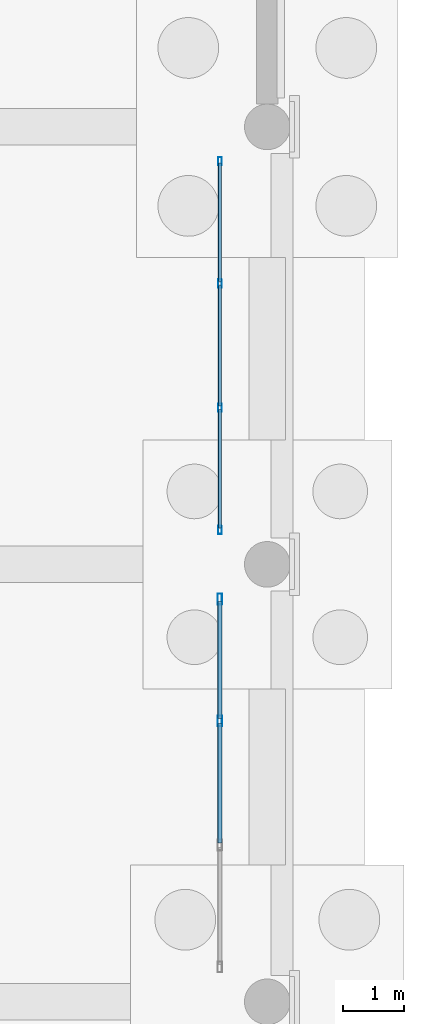
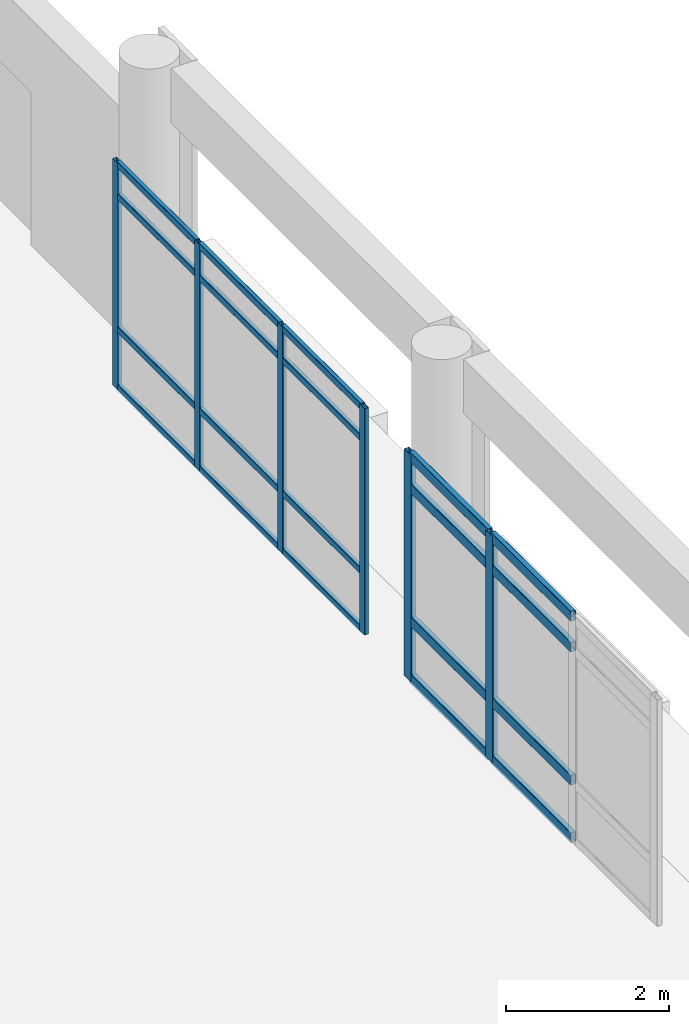
# One storey, part 127 of 196: 26 members, 2 elements without a shape of their own.
"""IFC4 building model written with IfcOpenShell, lengths in metres."""

from ifc_helpers import new_model, si_unit, direction, frame, origin, origin_2d, place, context, subcontext, project, spatial, hollow_rectangle, extrude, material, layer, layer_set, material_profile, profile_set, type_object, element, aggregate, save


model = new_model("IFC4")

# Units and contexts
model_context = context("Model", 3, precision=1e-05, world=origin(), true_north=direction((0.0, 1.0)))
body_context = subcontext(model_context, "Body", "Model", "MODEL_VIEW")
ifc_project = project(units=[si_unit("LENGTHUNIT", "METRE"), si_unit("AREAUNIT", "SQUARE_METRE"), si_unit("VOLUMEUNIT", "CUBIC_METRE"), si_unit("PLANEANGLEUNIT", "RADIAN"), si_unit("MASSUNIT", "GRAM", prefix="KILO")], contexts=[model_context])

# Site, building, storey
site_placement = place(None, origin())
site = spatial("IfcSite", under=ifc_project, at=site_placement, CompositionType="ELEMENT")
building_placement = place(site_placement, origin())
building = spatial("IfcBuilding", under=site, at=building_placement, Name="Asteropetra Specialist Clinic", CompositionType="ELEMENT")
storey_placement = place(building_placement, origin())
storey = spatial("IfcBuildingStorey", under=building, at=storey_placement, Name="L00", CompositionType="ELEMENT", Elevation=0.0)

# Curtain wall, members
ifc_material_1 = material(Name="Aluminium and low-E glass", Category="aluminium")
ifc_layer_1 = layer(ifc_material_1, 0.179931640625)
ifc_layer_set_1 = layer_set([ifc_layer_1], Name="Aluminium and low-E glass")
curtain_wall_type_1 = type_object("IfcCurtainWallType", Name="CW-SYS-01", PredefinedType="USERDEFINED", material=ifc_layer_set_1)
curtain_wall_1_placement = place(storey_placement, origin())
curtain_wall_1 = element("IfcCurtainWall", 1, at=curtain_wall_1_placement, inside=storey, type_object=curtain_wall_type_1, Name="Curtain Wall CW-200", ObjectType="UNITISED CURTAIN WALL", PredefinedType="USERDEFINED")
ifc_material_2 = material(Name="Aluminium 6063-T6", Category="aluminium")
ifc_material_profile_1 = material_profile(ifc_material_2, hollow_rectangle(XDim=0.06005859375, YDim=0.135009765625, WallThickness=0.00341796875, InnerFilletRadius=0.00341796875, OuterFilletRadius=0.007080078125, at=origin_2d()), Name="MUL 135x60x3.5")
ifc_profile_set_1 = profile_set([ifc_material_profile_1], Name="Aluminium 6063-T6")
member_type_1 = type_object("IfcMemberType", Name="CWM-135x60", PredefinedType="MULLION", material=ifc_profile_set_1)
member_1_placement = place(storey_placement, frame((152.820068359375, 19.764892578125, 0.0), z_axis=(0.0, 0.0, 1.0), x_axis=(-1.0, 0.0, 0.0)))
member_1 = element("IfcMember", 2, at=member_1_placement, type_object=member_type_1, Name="CW-200 mullion 1", PredefinedType="MULLION", context=body_context, shape_type="SweptSolid", body=[
    extrude(hollow_rectangle(XDim=0.06005859375, YDim=0.135009765625, WallThickness=0.00341796875, InnerFilletRadius=0.00341796875, OuterFilletRadius=0.007080078125, at=origin_2d()), origin(), (0.0, 0.0, 1.0), 3.39990234375),
])
member_2_placement = place(storey_placement, frame((152.820068359375, 21.7783203125, 0.0), z_axis=(0.0, 0.0, 1.0), x_axis=(-1.0, 0.0, 0.0)))
member_2 = element("IfcMember", 3, at=member_2_placement, type_object=member_type_1, Name="CW-200 mullion 2", PredefinedType="MULLION", context=body_context, shape_type="SweptSolid", body=[
    extrude(hollow_rectangle(XDim=0.06005859375, YDim=0.135009765625, WallThickness=0.00341796875, InnerFilletRadius=0.00341796875, OuterFilletRadius=0.007080078125, at=origin_2d()), origin(), (0.0, 0.0, 1.0), 3.39990234375),
])
member_3_placement = place(storey_placement, frame((152.820068359375, 23.82177734375, 0.0), z_axis=(0.0, 0.0, 1.0), x_axis=(-1.0, 0.0, 0.0)))
member_3 = element("IfcMember", 4, at=member_3_placement, type_object=member_type_1, Name="CW-200 mullion 3", PredefinedType="MULLION", context=body_context, shape_type="SweptSolid", body=[
    extrude(hollow_rectangle(XDim=0.06005859375, YDim=0.135009765625, WallThickness=0.00341796875, InnerFilletRadius=0.00341796875, OuterFilletRadius=0.007080078125, at=origin_2d()), origin(), (0.0, 0.0, 1.0), 3.39990234375),
])
member_4_placement = place(storey_placement, frame((152.820068359375, 25.8349609375, 0.0), z_axis=(0.0, 0.0, 1.0), x_axis=(-1.0, 0.0, 0.0)))
member_4 = element("IfcMember", 5, at=member_4_placement, type_object=member_type_1, Name="CW-200 mullion 4", PredefinedType="MULLION", context=body_context, shape_type="SweptSolid", body=[
    extrude(hollow_rectangle(XDim=0.06005859375, YDim=0.135009765625, WallThickness=0.00341796875, InnerFilletRadius=0.00341796875, OuterFilletRadius=0.007080078125, at=origin_2d()), origin(), (0.0, 0.0, 1.0), 3.39990234375),
])

ifc_material_3 = material(Name="Aluminium and low-E glass", Category="aluminium")
ifc_layer_2 = layer(ifc_material_3, 0.179931640625)
ifc_layer_set_2 = layer_set([ifc_layer_2], Name="Aluminium and low-E glass")
curtain_wall_type_2 = type_object("IfcCurtainWallType", Name="CW-SYS-10", PredefinedType="USERDEFINED", material=ifc_layer_set_2)
curtain_wall_2_placement = place(storey_placement, origin())
curtain_wall_2 = element("IfcCurtainWall", 6, at=curtain_wall_2_placement, inside=storey, type_object=curtain_wall_type_2, Name="Curtain Wall CW-198", ObjectType="STICK GLAZED COLONNADE", PredefinedType="USERDEFINED")
ifc_material_4 = material(Name="Aluminium 6063-T6", Category="aluminium")
ifc_material_profile_2 = material_profile(ifc_material_4, hollow_rectangle(XDim=0.074951171875, YDim=0.179931640625, WallThickness=0.00390625, InnerFilletRadius=0.00390625, OuterFilletRadius=0.008056640625, at=origin_2d()), Name="MUL 180x75x4.0")
ifc_profile_set_2 = profile_set([ifc_material_profile_2], Name="Aluminium 6063-T6")
member_type_2 = type_object("IfcMemberType", Name="CWM-180x75", PredefinedType="MULLION", material=ifc_profile_set_2)
member_5_placement = place(storey_placement, frame((152.820068359375, 16.62158203125, 0.0), z_axis=(0.0, 0.0, 1.0), x_axis=(-1.0, 0.0, 0.0)))
member_5 = element("IfcMember", 7, at=member_5_placement, type_object=member_type_2, Name="CW-198 mullion 3", PredefinedType="MULLION", context=body_context, shape_type="SweptSolid", body=[
    extrude(hollow_rectangle(XDim=0.074951171875, YDim=0.179931640625, WallThickness=0.00390625, InnerFilletRadius=0.00390625, OuterFilletRadius=0.008056640625, at=origin_2d()), origin(), (0.0, 0.0, 1.0), 3.39990234375),
])
member_6_placement = place(storey_placement, frame((152.820068359375, 18.62744140625, 0.0), z_axis=(0.0, 0.0, 1.0), x_axis=(-1.0, 0.0, 0.0)))
member_6 = element("IfcMember", 8, at=member_6_placement, type_object=member_type_2, Name="CW-198 mullion 4", PredefinedType="MULLION", context=body_context, shape_type="SweptSolid", body=[
    extrude(hollow_rectangle(XDim=0.074951171875, YDim=0.179931640625, WallThickness=0.00390625, InnerFilletRadius=0.00390625, OuterFilletRadius=0.008056640625, at=origin_2d()), origin(), (0.0, 0.0, 1.0), 3.39990234375),
])

# Member
ifc_material_5 = material(Name="Aluminium 6063-T6", Category="aluminium")
ifc_material_profile_3 = material_profile(ifc_material_5, hollow_rectangle(XDim=0.06005859375, YDim=0.10009765625, WallThickness=0.00341796875, InnerFilletRadius=0.00341796875, OuterFilletRadius=0.007080078125, at=origin_2d()), Name="TRN 100x60x3.5")
ifc_profile_set_3 = profile_set([ifc_material_profile_3], Name="Aluminium 6063-T6")
member_type_3 = type_object("IfcMemberType", Name="CWT-100x60", PredefinedType="USERDEFINED", material=ifc_profile_set_3)
member_7_placement = place(storey_placement, frame((152.820068359375, 19.794921875, 0.030029296875), z_axis=(0.0, 1.0, 0.0), x_axis=(-1.0, 0.0, 0.0)))
member_7 = element("IfcMember", 9, at=member_7_placement, type_object=member_type_3, Name="CW-200 transom 1.1", ObjectType="TRANSOM", PredefinedType="USERDEFINED", context=body_context, shape_type="SweptSolid", body=[
    extrude(hollow_rectangle(XDim=0.06005859375, YDim=0.10009765625, WallThickness=0.00341796875, InnerFilletRadius=0.00341796875, OuterFilletRadius=0.007080078125, at=origin_2d()), origin(), (0.0, 0.0, 1.0), 1.953369140625),
])

member_8_placement = place(storey_placement, frame((152.820068359375, 19.794921875, 0.89990234375), z_axis=(0.0, 1.0, 0.0), x_axis=(-1.0, 0.0, 0.0)))
member_8 = element("IfcMember", 10, at=member_8_placement, type_object=member_type_3, Name="CW-200 transom 1.2", ObjectType="TRANSOM", PredefinedType="USERDEFINED", context=body_context, shape_type="SweptSolid", body=[
    extrude(hollow_rectangle(XDim=0.06005859375, YDim=0.10009765625, WallThickness=0.00341796875, InnerFilletRadius=0.00341796875, OuterFilletRadius=0.007080078125, at=origin_2d()), origin(), (0.0, 0.0, 1.0), 1.953369140625),
])

member_9_placement = place(storey_placement, frame((152.820068359375, 19.794921875, 2.89990234375), z_axis=(0.0, 1.0, 0.0), x_axis=(-1.0, 0.0, 0.0)))
member_9 = element("IfcMember", 11, at=member_9_placement, type_object=member_type_3, Name="CW-200 transom 1.3", ObjectType="TRANSOM", PredefinedType="USERDEFINED", context=body_context, shape_type="SweptSolid", body=[
    extrude(hollow_rectangle(XDim=0.06005859375, YDim=0.10009765625, WallThickness=0.00341796875, InnerFilletRadius=0.00341796875, OuterFilletRadius=0.007080078125, at=origin_2d()), origin(), (0.0, 0.0, 1.0), 1.953369140625),
])

member_10_placement = place(storey_placement, frame((152.820068359375, 19.794921875, 3.3701171875), z_axis=(0.0, 1.0, 0.0), x_axis=(-1.0, 0.0, 0.0)))
member_10 = element("IfcMember", 12, at=member_10_placement, type_object=member_type_3, Name="CW-200 transom 1.4", ObjectType="TRANSOM", PredefinedType="USERDEFINED", context=body_context, shape_type="SweptSolid", body=[
    extrude(hollow_rectangle(XDim=0.06005859375, YDim=0.10009765625, WallThickness=0.00341796875, InnerFilletRadius=0.00341796875, OuterFilletRadius=0.007080078125, at=origin_2d()), origin(), (0.0, 0.0, 1.0), 1.953369140625),
])

member_11_placement = place(storey_placement, frame((152.820068359375, 21.808349609375, 0.030029296875), z_axis=(0.0, 1.0, 0.0), x_axis=(-1.0, 0.0, 0.0)))
member_11 = element("IfcMember", 13, at=member_11_placement, type_object=member_type_3, Name="CW-200 transom 2.1", ObjectType="TRANSOM", PredefinedType="USERDEFINED", context=body_context, shape_type="SweptSolid", body=[
    extrude(hollow_rectangle(XDim=0.06005859375, YDim=0.10009765625, WallThickness=0.00341796875, InnerFilletRadius=0.00341796875, OuterFilletRadius=0.007080078125, at=origin_2d()), origin(), (0.0, 0.0, 1.0), 1.9833984375),
])

member_12_placement = place(storey_placement, frame((152.820068359375, 21.808349609375, 0.89990234375), z_axis=(0.0, 1.0, 0.0), x_axis=(-1.0, 0.0, 0.0)))
member_12 = element("IfcMember", 14, at=member_12_placement, type_object=member_type_3, Name="CW-200 transom 2.2", ObjectType="TRANSOM", PredefinedType="USERDEFINED", context=body_context, shape_type="SweptSolid", body=[
    extrude(hollow_rectangle(XDim=0.06005859375, YDim=0.10009765625, WallThickness=0.00341796875, InnerFilletRadius=0.00341796875, OuterFilletRadius=0.007080078125, at=origin_2d()), origin(), (0.0, 0.0, 1.0), 1.9833984375),
])

member_13_placement = place(storey_placement, frame((152.820068359375, 21.808349609375, 2.89990234375), z_axis=(0.0, 1.0, 0.0), x_axis=(-1.0, 0.0, 0.0)))
member_13 = element("IfcMember", 15, at=member_13_placement, type_object=member_type_3, Name="CW-200 transom 2.3", ObjectType="TRANSOM", PredefinedType="USERDEFINED", context=body_context, shape_type="SweptSolid", body=[
    extrude(hollow_rectangle(XDim=0.06005859375, YDim=0.10009765625, WallThickness=0.00341796875, InnerFilletRadius=0.00341796875, OuterFilletRadius=0.007080078125, at=origin_2d()), origin(), (0.0, 0.0, 1.0), 1.9833984375),
])

member_14_placement = place(storey_placement, frame((152.820068359375, 21.808349609375, 3.3701171875), z_axis=(0.0, 1.0, 0.0), x_axis=(-1.0, 0.0, 0.0)))
member_14 = element("IfcMember", 16, at=member_14_placement, type_object=member_type_3, Name="CW-200 transom 2.4", ObjectType="TRANSOM", PredefinedType="USERDEFINED", context=body_context, shape_type="SweptSolid", body=[
    extrude(hollow_rectangle(XDim=0.06005859375, YDim=0.10009765625, WallThickness=0.00341796875, InnerFilletRadius=0.00341796875, OuterFilletRadius=0.007080078125, at=origin_2d()), origin(), (0.0, 0.0, 1.0), 1.9833984375),
])

member_15_placement = place(storey_placement, frame((152.820068359375, 23.8515625, 0.030029296875), z_axis=(0.0, 1.0, 0.0), x_axis=(-1.0, 0.0, 0.0)))
member_15 = element("IfcMember", 17, at=member_15_placement, type_object=member_type_3, Name="CW-200 transom 3.1", ObjectType="TRANSOM", PredefinedType="USERDEFINED", context=body_context, shape_type="SweptSolid", body=[
    extrude(hollow_rectangle(XDim=0.06005859375, YDim=0.10009765625, WallThickness=0.00341796875, InnerFilletRadius=0.00341796875, OuterFilletRadius=0.007080078125, at=origin_2d()), origin(), (0.0, 0.0, 1.0), 1.953369140625),
])

member_16_placement = place(storey_placement, frame((152.820068359375, 23.8515625, 0.89990234375), z_axis=(0.0, 1.0, 0.0), x_axis=(-1.0, 0.0, 0.0)))
member_16 = element("IfcMember", 18, at=member_16_placement, type_object=member_type_3, Name="CW-200 transom 3.2", ObjectType="TRANSOM", PredefinedType="USERDEFINED", context=body_context, shape_type="SweptSolid", body=[
    extrude(hollow_rectangle(XDim=0.06005859375, YDim=0.10009765625, WallThickness=0.00341796875, InnerFilletRadius=0.00341796875, OuterFilletRadius=0.007080078125, at=origin_2d()), origin(), (0.0, 0.0, 1.0), 1.953369140625),
])

member_17_placement = place(storey_placement, frame((152.820068359375, 23.8515625, 2.89990234375), z_axis=(0.0, 1.0, 0.0), x_axis=(-1.0, 0.0, 0.0)))
member_17 = element("IfcMember", 19, at=member_17_placement, type_object=member_type_3, Name="CW-200 transom 3.3", ObjectType="TRANSOM", PredefinedType="USERDEFINED", context=body_context, shape_type="SweptSolid", body=[
    extrude(hollow_rectangle(XDim=0.06005859375, YDim=0.10009765625, WallThickness=0.00341796875, InnerFilletRadius=0.00341796875, OuterFilletRadius=0.007080078125, at=origin_2d()), origin(), (0.0, 0.0, 1.0), 1.953369140625),
])

member_18_placement = place(storey_placement, frame((152.820068359375, 23.8515625, 3.3701171875), z_axis=(0.0, 1.0, 0.0), x_axis=(-1.0, 0.0, 0.0)))
member_18 = element("IfcMember", 20, at=member_18_placement, type_object=member_type_3, Name="CW-200 transom 3.4", ObjectType="TRANSOM", PredefinedType="USERDEFINED", context=body_context, shape_type="SweptSolid", body=[
    extrude(hollow_rectangle(XDim=0.06005859375, YDim=0.10009765625, WallThickness=0.00341796875, InnerFilletRadius=0.00341796875, OuterFilletRadius=0.007080078125, at=origin_2d()), origin(), (0.0, 0.0, 1.0), 1.953369140625),
])

aggregate(curtain_wall_1, [member_1, member_2, member_3, member_4, member_7, member_8, member_9, member_10, member_11, member_12, member_13, member_14, member_15, member_16, member_17, member_18])

ifc_material_6 = material(Name="Aluminium 6063-T6", Category="aluminium")
ifc_material_profile_4 = material_profile(ifc_material_6, hollow_rectangle(XDim=0.074951171875, YDim=0.14990234375, WallThickness=0.00390625, InnerFilletRadius=0.00390625, OuterFilletRadius=0.008056640625, at=origin_2d()), Name="TRN 150x75x4.0")
ifc_profile_set_4 = profile_set([ifc_material_profile_4], Name="Aluminium 6063-T6")
member_type_4 = type_object("IfcMemberType", Name="CWT-150x75", PredefinedType="USERDEFINED", material=ifc_profile_set_4)
member_19_placement = place(storey_placement, frame((152.820068359375, 14.61572265625, 0.03759765625), z_axis=(0.0, 1.0, 0.0), x_axis=(-1.0, 0.0, 0.0)))
member_19 = element("IfcMember", 21, at=member_19_placement, type_object=member_type_4, Name="CW-198 transom 2.1", ObjectType="TRANSOM", PredefinedType="USERDEFINED", context=body_context, shape_type="SweptSolid", body=[
    extrude(hollow_rectangle(XDim=0.074951171875, YDim=0.14990234375, WallThickness=0.00390625, InnerFilletRadius=0.00390625, OuterFilletRadius=0.008056640625, at=origin_2d()), origin(), (0.0, 0.0, 1.0), 1.968505859375),
])

member_20_placement = place(storey_placement, frame((152.820068359375, 14.61572265625, 0.89990234375), z_axis=(0.0, 1.0, 0.0), x_axis=(-1.0, 0.0, 0.0)))
member_20 = element("IfcMember", 22, at=member_20_placement, type_object=member_type_4, Name="CW-198 transom 2.2", ObjectType="TRANSOM", PredefinedType="USERDEFINED", context=body_context, shape_type="SweptSolid", body=[
    extrude(hollow_rectangle(XDim=0.074951171875, YDim=0.14990234375, WallThickness=0.00390625, InnerFilletRadius=0.00390625, OuterFilletRadius=0.008056640625, at=origin_2d()), origin(), (0.0, 0.0, 1.0), 1.968505859375),
])

member_21_placement = place(storey_placement, frame((152.820068359375, 14.61572265625, 2.89990234375), z_axis=(0.0, 1.0, 0.0), x_axis=(-1.0, 0.0, 0.0)))
member_21 = element("IfcMember", 23, at=member_21_placement, type_object=member_type_4, Name="CW-198 transom 2.3", ObjectType="TRANSOM", PredefinedType="USERDEFINED", context=body_context, shape_type="SweptSolid", body=[
    extrude(hollow_rectangle(XDim=0.074951171875, YDim=0.14990234375, WallThickness=0.00390625, InnerFilletRadius=0.00390625, OuterFilletRadius=0.008056640625, at=origin_2d()), origin(), (0.0, 0.0, 1.0), 1.968505859375),
])

member_22_placement = place(storey_placement, frame((152.820068359375, 14.61572265625, 3.362548828125), z_axis=(0.0, 1.0, 0.0), x_axis=(-1.0, 0.0, 0.0)))
member_22 = element("IfcMember", 24, at=member_22_placement, type_object=member_type_4, Name="CW-198 transom 2.4", ObjectType="TRANSOM", PredefinedType="USERDEFINED", context=body_context, shape_type="SweptSolid", body=[
    extrude(hollow_rectangle(XDim=0.074951171875, YDim=0.14990234375, WallThickness=0.00390625, InnerFilletRadius=0.00390625, OuterFilletRadius=0.008056640625, at=origin_2d()), origin(), (0.0, 0.0, 1.0), 1.968505859375),
])

member_23_placement = place(storey_placement, frame((152.820068359375, 16.6591796875, 0.03759765625), z_axis=(0.0, 1.0, 0.0), x_axis=(-1.0, 0.0, 0.0)))
member_23 = element("IfcMember", 25, at=member_23_placement, type_object=member_type_4, Name="CW-198 transom 3.1", ObjectType="TRANSOM", PredefinedType="USERDEFINED", context=body_context, shape_type="SweptSolid", body=[
    extrude(hollow_rectangle(XDim=0.074951171875, YDim=0.14990234375, WallThickness=0.00390625, InnerFilletRadius=0.00390625, OuterFilletRadius=0.008056640625, at=origin_2d()), origin(), (0.0, 0.0, 1.0), 1.930908203125),
])

member_24_placement = place(storey_placement, frame((152.820068359375, 16.6591796875, 0.89990234375), z_axis=(0.0, 1.0, 0.0), x_axis=(-1.0, 0.0, 0.0)))
member_24 = element("IfcMember", 26, at=member_24_placement, type_object=member_type_4, Name="CW-198 transom 3.2", ObjectType="TRANSOM", PredefinedType="USERDEFINED", context=body_context, shape_type="SweptSolid", body=[
    extrude(hollow_rectangle(XDim=0.074951171875, YDim=0.14990234375, WallThickness=0.00390625, InnerFilletRadius=0.00390625, OuterFilletRadius=0.008056640625, at=origin_2d()), origin(), (0.0, 0.0, 1.0), 1.930908203125),
])

member_25_placement = place(storey_placement, frame((152.820068359375, 16.6591796875, 2.89990234375), z_axis=(0.0, 1.0, 0.0), x_axis=(-1.0, 0.0, 0.0)))
member_25 = element("IfcMember", 27, at=member_25_placement, type_object=member_type_4, Name="CW-198 transom 3.3", ObjectType="TRANSOM", PredefinedType="USERDEFINED", context=body_context, shape_type="SweptSolid", body=[
    extrude(hollow_rectangle(XDim=0.074951171875, YDim=0.14990234375, WallThickness=0.00390625, InnerFilletRadius=0.00390625, OuterFilletRadius=0.008056640625, at=origin_2d()), origin(), (0.0, 0.0, 1.0), 1.930908203125),
])

member_26_placement = place(storey_placement, frame((152.820068359375, 16.6591796875, 3.362548828125), z_axis=(0.0, 1.0, 0.0), x_axis=(-1.0, 0.0, 0.0)))
member_26 = element("IfcMember", 28, at=member_26_placement, type_object=member_type_4, Name="CW-198 transom 3.4", ObjectType="TRANSOM", PredefinedType="USERDEFINED", context=body_context, shape_type="SweptSolid", body=[
    extrude(hollow_rectangle(XDim=0.074951171875, YDim=0.14990234375, WallThickness=0.00390625, InnerFilletRadius=0.00390625, OuterFilletRadius=0.008056640625, at=origin_2d()), origin(), (0.0, 0.0, 1.0), 1.930908203125),
])

aggregate(curtain_wall_2, [member_5, member_6, member_19, member_20, member_21, member_22, member_23, member_24, member_25, member_26])

save(model, "model.ifc")
